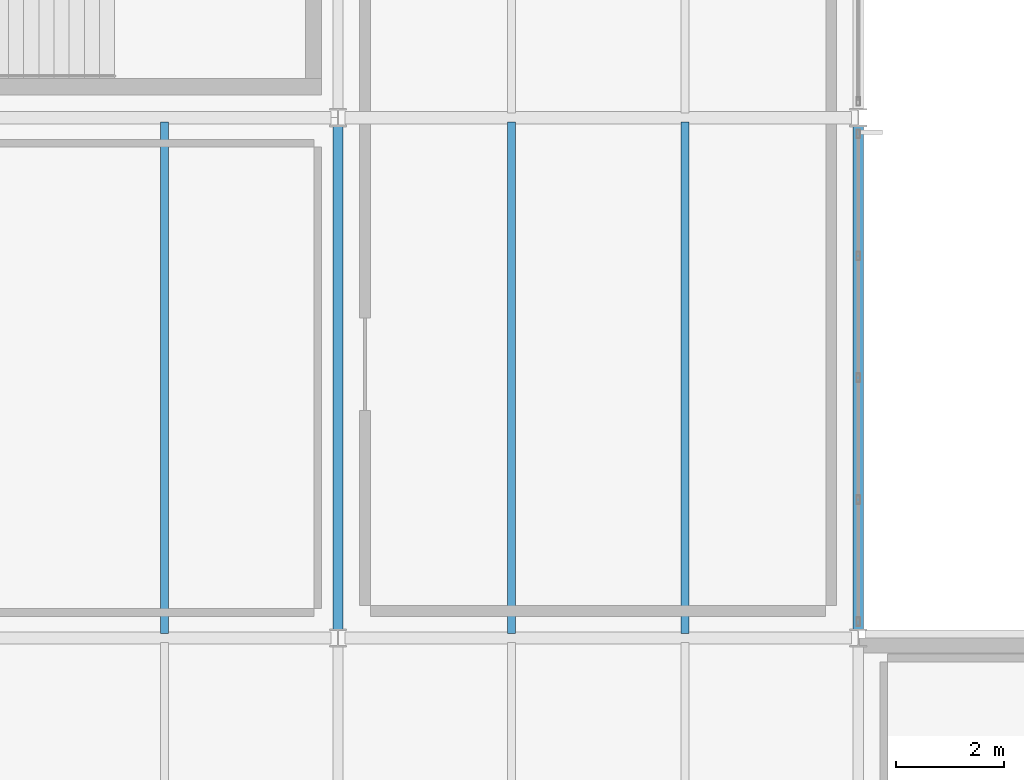
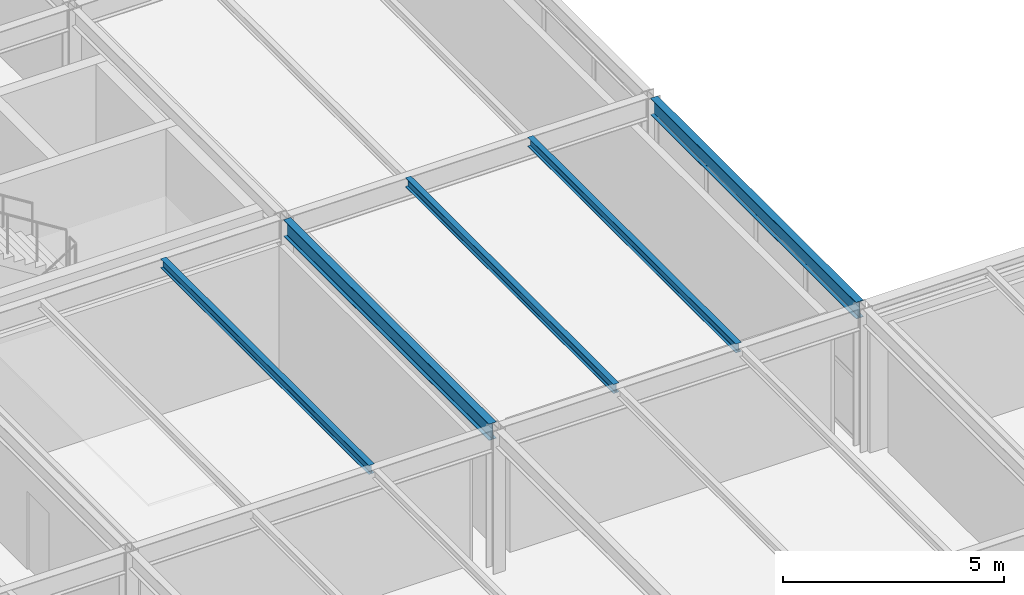
# One storey, part 21 of 126: 5 beams.
"""IFC4 building model written with IfcOpenShell, lengths in metres."""

from ifc_helpers import new_model, si_unit, direction, frame, origin, origin_2d, place, context, subcontext, project, spatial, i_section, extrude, material, material_profile, profile_set, type_object, element, save


model = new_model("IFC4")

# Units and contexts
model_context = context("Model", 3, precision=1e-05, world=origin(), true_north=direction((0.0, 1.0)))
body_context = subcontext(model_context, "Body", "Model", "MODEL_VIEW")
ifc_project = project(units=[si_unit("LENGTHUNIT", "METRE"), si_unit("AREAUNIT", "SQUARE_METRE"), si_unit("VOLUMEUNIT", "CUBIC_METRE"), si_unit("PLANEANGLEUNIT", "RADIAN"), si_unit("MASSUNIT", "GRAM", prefix="KILO")], contexts=[model_context])

# Site, building, storey
site_placement = place(None, origin())
site = spatial("IfcSite", under=ifc_project, at=site_placement, CompositionType="ELEMENT")
building_placement = place(site_placement, origin())
building = spatial("IfcBuilding", under=site, at=building_placement, Name="Coralgate Yard Interchange", CompositionType="ELEMENT")
storey_placement = place(building_placement, frame((0.0, 0.0, 10.5)))
storey = spatial("IfcBuildingStorey", under=building, at=storey_placement, Name="L02", CompositionType="ELEMENT", Elevation=10.5)

# Beams
ifc_material = material(Name="Structural steel S355J2", Category="steel")
ifc_material_profile_1 = material_profile(ifc_material, i_section(OverallWidth=0.1904296875, OverallDepth=0.45703125, WebThickness=0.009033203125, FlangeThickness=0.014404296875, FilletRadius=0.01025390625, at=origin_2d()), Name="UB 457x191x74")
ifc_profile_set_1 = profile_set([ifc_material_profile_1], Name="Structural steel S355J2")
beam_type_1 = type_object("IfcBeamType", Name="BM-SB-2", PredefinedType="BEAM", material=ifc_profile_set_1)
for number, where, z_axis, x_axis, name in (
    (1, (19.199951171875, 19.33984375, 3.721435546875), (0.0, 1.0, 0.0), (-1.0, 0.0, 0.0), "L02 primary grid girder X2 Y2-3"),
    (2, (28.800048828125, 19.33984375, 3.721435546875), (0.0, 1.0, 0.0), (-1.0, 0.0, 0.0), "L02 primary grid girder X3 Y2-3"),
):
    element("IfcBeam", number, at=place(storey_placement, frame(where, z_axis=z_axis, x_axis=x_axis)), inside=storey, type_object=beam_type_1, Name=name, PredefinedType="BEAM", context=body_context, shape_type="SweptSolid", body=[
        extrude(i_section(OverallWidth=0.1904296875, OverallDepth=0.45703125, WebThickness=0.009033203125, FlangeThickness=0.014404296875, FilletRadius=0.01025390625, at=origin_2d()), origin(), (0.0, 0.0, 1.0), 9.320068359375),
    ])
ifc_material_profile_2 = material_profile(ifc_material, i_section(OverallWidth=0.14599609375, OverallDepth=0.25146484375, WebThickness=0.006103515625, FlangeThickness=0.008544921875, FilletRadius=0.007568359375, at=origin_2d()), Name="UB 254x146x31")
ifc_profile_set_2 = profile_set([ifc_material_profile_2], Name="Structural steel S355J2")
beam_type_2 = type_object("IfcBeamType", Name="BM-SJ-2", PredefinedType="JOIST", material=ifc_profile_set_2)
for number, where, z_axis, x_axis, name in (
    (3, (16.0, 19.2841796875, 3.82421875), (0.0, 1.0, 0.0), (-1.0, 0.0, 0.0), "L02 composite floor joist 1-2-2"),
    (4, (22.39990234375, 19.2841796875, 3.82421875), (0.0, 1.0, 0.0), (-1.0, 0.0, 0.0), "L02 composite floor joist 2-2-1"),
    (5, (25.60009765625, 19.2841796875, 3.82421875), (0.0, 1.0, 0.0), (-1.0, 0.0, 0.0), "L02 composite floor joist 2-2-2"),
):
    element("IfcBeam", number, at=place(storey_placement, frame(where, z_axis=z_axis, x_axis=x_axis)), inside=storey, type_object=beam_type_2, Name=name, PredefinedType="JOIST", context=body_context, shape_type="SweptSolid", body=[
        extrude(i_section(OverallWidth=0.14599609375, OverallDepth=0.25146484375, WebThickness=0.006103515625, FlangeThickness=0.008544921875, FilletRadius=0.007568359375, at=origin_2d()), origin(), (0.0, 0.0, 1.0), 9.431640625),
    ])

save(model, "model.ifc")
